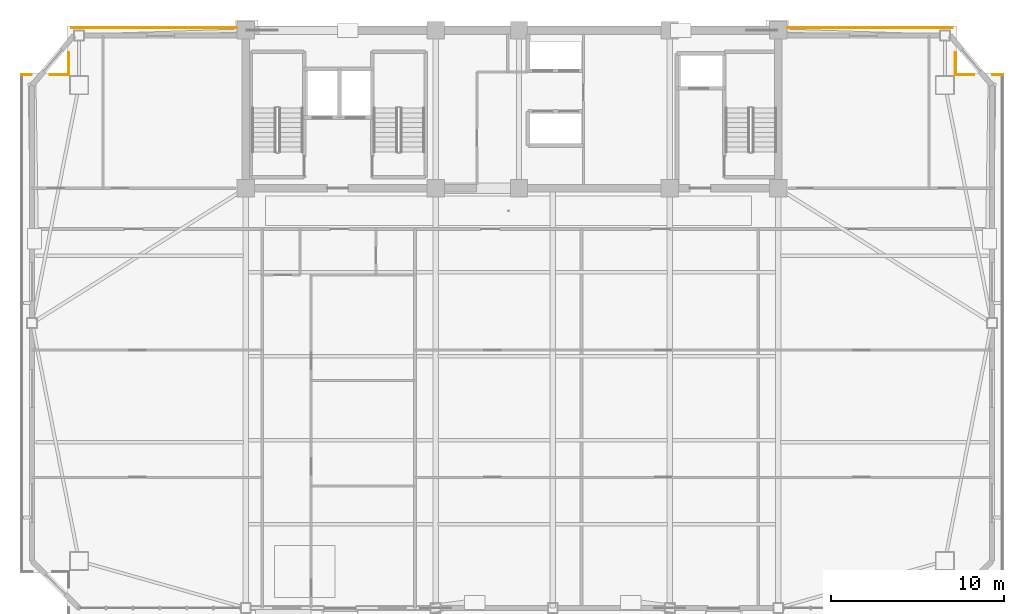
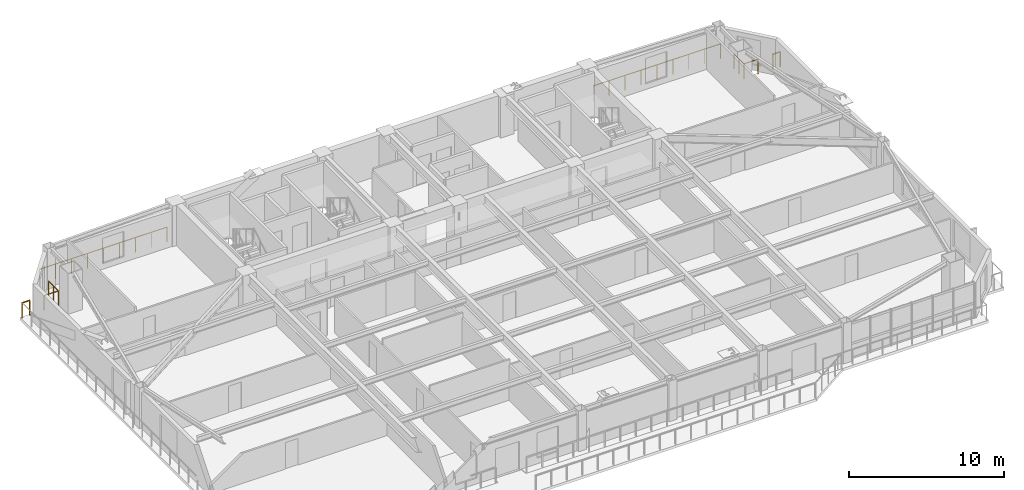
# One storey, part 16 of 16: 8 railings.
"""IFC4 building model written with IfcOpenShell, lengths in metres."""

from ifc_helpers import new_model, si_unit, direction, frame, origin, origin_2d, place, context, subcontext, project, spatial, rectangle, extrude, material, type_object, element, save


model = new_model("IFC4")

# Units and contexts
model_context = context("Model", 3, precision=1e-05, world=origin(), true_north=direction((0.0, 1.0)))
body_context = subcontext(model_context, "Body", "Model", "MODEL_VIEW")
ifc_project = project(units=[si_unit("LENGTHUNIT", "METRE"), si_unit("AREAUNIT", "SQUARE_METRE"), si_unit("VOLUMEUNIT", "CUBIC_METRE"), si_unit("PLANEANGLEUNIT", "RADIAN"), si_unit("MASSUNIT", "GRAM", prefix="KILO")], contexts=[model_context])

# Site, building, storey
site_placement = place(None, origin())
site = spatial("IfcSite", under=ifc_project, at=site_placement, CompositionType="ELEMENT")
building_placement = place(site_placement, origin())
building = spatial("IfcBuilding", under=site, at=building_placement, Name="Giltprow Tower", CompositionType="ELEMENT")
storey_placement = place(building_placement, frame((0.0, 0.0, 227.0)))
storey = spatial("IfcBuildingStorey", under=building, at=storey_placement, Name="L57", CompositionType="ELEMENT", Elevation=227.0)

# Railings
ifc_material = material(Name="Anodized bronze", Category="metal")
railing_type = type_object("IfcRailingType", Name="RAIL-BALC-GUARD-1200", PredefinedType="BALUSTRADE", material=ifc_material)
railing_1_placement = place(storey_placement, frame((6.93310546875, 43.992919921875, 0.0)))
element("IfcRailing", 1, at=railing_1_placement, inside=storey, type_object=railing_type, Name="L57 Corner Apron Edge Balustrade 14", PredefinedType="BALUSTRADE", context=body_context, shape_type="SweptSolid", body=[
    extrude(rectangle(XDim=0.048095703125, YDim=0.048095703125, at=origin_2d()), frame((0.0, 0.0, 1.17578125), z_axis=(1.0, 0.0, 0.0), x_axis=(0.0, 1.0, 0.0)), (0.0, 0.0, 1.0), 0.56884765625),
    extrude(rectangle(XDim=0.0419921875, YDim=0.0419921875, at=origin_2d()), origin(), (0.0, 0.0, 1.0), 1.15185546875),
    extrude(rectangle(XDim=0.0419921875, YDim=0.0419921875, at=origin_2d()), frame((0.56884765625, 0.0, 0.0)), (0.0, 0.0, 1.0), 1.15185546875),
])
railing_2_placement = place(storey_placement, frame((8.574951171875, 43.992919921875, 0.0)))
element("IfcRailing", 2, at=railing_2_placement, inside=storey, type_object=railing_type, Name="L57 Corner Apron Edge Balustrade 15", PredefinedType="BALUSTRADE", context=body_context, shape_type="SweptSolid", body=[
    extrude(rectangle(XDim=0.048095703125, YDim=0.048095703125, at=origin_2d()), frame((0.0, 0.0, 1.17578125), z_axis=(1.0, 0.0, 0.0), x_axis=(0.0, 1.0, 0.0)), (0.0, 0.0, 1.0), 1.06494140625),
    extrude(rectangle(XDim=0.0419921875, YDim=0.0419921875, at=origin_2d()), origin(), (0.0, 0.0, 1.0), 1.15185546875),
    extrude(rectangle(XDim=0.0419921875, YDim=0.0419921875, at=origin_2d()), frame((1.06494140625, 0.0, 0.0)), (0.0, 0.0, 1.0), 1.15185546875),
])
railing_3_placement = place(storey_placement, frame((9.639892578125, 43.992919921875, 0.0)))
element("IfcRailing", 3, at=railing_3_placement, inside=storey, type_object=railing_type, Name="L57 Corner Apron Edge Balustrade 16", PredefinedType="BALUSTRADE", context=body_context, shape_type="SweptSolid", body=[
    extrude(rectangle(XDim=0.048095703125, YDim=0.048095703125, at=origin_2d()), frame((0.0, 0.0, 1.17578125), z_axis=(0.0, 1.0, 0.0), x_axis=(-1.0, 0.0, 0.0)), (0.0, 0.0, 1.0), 1.26513671875),
    extrude(rectangle(XDim=0.0419921875, YDim=0.0419921875, at=origin_2d()), origin(), (0.0, 0.0, 1.0), 1.15185546875),
    extrude(rectangle(XDim=0.0419921875, YDim=0.0419921875, at=origin_2d()), frame((0.0, 0.632568359375, 0.0)), (0.0, 0.0, 1.0), 1.15185546875),
    extrude(rectangle(XDim=0.0419921875, YDim=0.0419921875, at=origin_2d()), frame((0.0, 1.26513671875, 0.0)), (0.0, 0.0, 1.0), 1.15185546875),
])
railing_4_placement = place(storey_placement, frame((9.80908203125, 46.699951171875, 0.0)))
element("IfcRailing", 4, at=railing_4_placement, inside=storey, type_object=railing_type, Name="L57 Corner Apron Edge Balustrade 17", PredefinedType="BALUSTRADE", context=body_context, shape_type="SweptSolid", body=[
    extrude(rectangle(XDim=0.048095703125, YDim=0.048095703125, at=origin_2d()), frame((0.0, 0.0, 1.17578125), z_axis=(1.0, 0.0, 0.0), x_axis=(0.0, 1.0, 0.0)), (0.0, 0.0, 1.0), 9.505859375),
    extrude(rectangle(XDim=0.0419921875, YDim=0.0419921875, at=origin_2d()), origin(), (0.0, 0.0, 1.0), 1.15185546875),
    extrude(rectangle(XDim=0.0419921875, YDim=0.0419921875, at=origin_2d()), frame((1.188232421875, 0.0, 0.0)), (0.0, 0.0, 1.0), 1.15185546875),
    extrude(rectangle(XDim=0.0419921875, YDim=0.0419921875, at=origin_2d()), frame((2.37646484375, 0.0, 0.0)), (0.0, 0.0, 1.0), 1.15185546875),
    extrude(rectangle(XDim=0.0419921875, YDim=0.0419921875, at=origin_2d()), frame((3.564697265625, 0.0, 0.0)), (0.0, 0.0, 1.0), 1.15185546875),
    extrude(rectangle(XDim=0.0419921875, YDim=0.0419921875, at=origin_2d()), frame((4.7529296875, 0.0, 0.0)), (0.0, 0.0, 1.0), 1.15185546875),
    extrude(rectangle(XDim=0.0419921875, YDim=0.0419921875, at=origin_2d()), frame((5.941162109375, 0.0, 0.0)), (0.0, 0.0, 1.0), 1.15185546875),
    extrude(rectangle(XDim=0.0419921875, YDim=0.0419921875, at=origin_2d()), frame((7.12939453125, 0.0, 0.0)), (0.0, 0.0, 1.0), 1.15185546875),
    extrude(rectangle(XDim=0.0419921875, YDim=0.0419921875, at=origin_2d()), frame((8.317626953125, 0.0, 0.0)), (0.0, 0.0, 1.0), 1.15185546875),
    extrude(rectangle(XDim=0.0419921875, YDim=0.0419921875, at=origin_2d()), frame((9.505859375, 0.0, 0.0)), (0.0, 0.0, 1.0), 1.15185546875),
])
railing_5_placement = place(storey_placement, frame((51.0849609375, 46.699951171875, 0.0)))
element("IfcRailing", 5, at=railing_5_placement, inside=storey, type_object=railing_type, Name="L57 Corner Apron Edge Balustrade 18", PredefinedType="BALUSTRADE", context=body_context, shape_type="SweptSolid", body=[
    extrude(rectangle(XDim=0.048095703125, YDim=0.048095703125, at=origin_2d()), frame((0.0, 0.0, 1.17578125), z_axis=(1.0, 0.0, 0.0), x_axis=(0.0, 1.0, 0.0)), (0.0, 0.0, 1.0), 9.506103515625),
    extrude(rectangle(XDim=0.0419921875, YDim=0.0419921875, at=origin_2d()), origin(), (0.0, 0.0, 1.0), 1.15185546875),
    extrude(rectangle(XDim=0.0419921875, YDim=0.0419921875, at=origin_2d()), frame((1.188232421875, 0.0, 0.0)), (0.0, 0.0, 1.0), 1.15185546875),
    extrude(rectangle(XDim=0.0419921875, YDim=0.0419921875, at=origin_2d()), frame((2.37646484375, 0.0, 0.0)), (0.0, 0.0, 1.0), 1.15185546875),
    extrude(rectangle(XDim=0.0419921875, YDim=0.0419921875, at=origin_2d()), frame((3.564697265625, 0.0, 0.0)), (0.0, 0.0, 1.0), 1.15185546875),
    extrude(rectangle(XDim=0.0419921875, YDim=0.0419921875, at=origin_2d()), frame((4.7529296875, 0.0, 0.0)), (0.0, 0.0, 1.0), 1.15185546875),
    extrude(rectangle(XDim=0.0419921875, YDim=0.0419921875, at=origin_2d()), frame((5.94140625, 0.0, 0.0)), (0.0, 0.0, 1.0), 1.15185546875),
    extrude(rectangle(XDim=0.0419921875, YDim=0.0419921875, at=origin_2d()), frame((7.129638671875, 0.0, 0.0)), (0.0, 0.0, 1.0), 1.15185546875),
    extrude(rectangle(XDim=0.0419921875, YDim=0.0419921875, at=origin_2d()), frame((8.31787109375, 0.0, 0.0)), (0.0, 0.0, 1.0), 1.15185546875),
    extrude(rectangle(XDim=0.0419921875, YDim=0.0419921875, at=origin_2d()), frame((9.506103515625, 0.0, 0.0)), (0.0, 0.0, 1.0), 1.15185546875),
])
railing_6_placement = place(storey_placement, frame((60.760009765625, 45.258056640625, 0.0)))
element("IfcRailing", 6, at=railing_6_placement, inside=storey, type_object=railing_type, Name="L57 Corner Apron Edge Balustrade 19", PredefinedType="BALUSTRADE", context=body_context, shape_type="SweptSolid", body=[
    extrude(rectangle(XDim=0.048095703125, YDim=0.048095703125, at=origin_2d()), frame((0.0, 0.0, 1.17578125), z_axis=(0.0, -1.0, 0.0), x_axis=(1.0, 0.0, 0.0)), (0.0, 0.0, 1.0), 1.26513671875),
    extrude(rectangle(XDim=0.0419921875, YDim=0.0419921875, at=origin_2d()), origin(), (0.0, 0.0, 1.0), 1.15185546875),
    extrude(rectangle(XDim=0.0419921875, YDim=0.0419921875, at=origin_2d()), frame((0.0, -0.632568359375, 0.0)), (0.0, 0.0, 1.0), 1.15185546875),
    extrude(rectangle(XDim=0.0419921875, YDim=0.0419921875, at=origin_2d()), frame((0.0, -1.26513671875, 0.0)), (0.0, 0.0, 1.0), 1.15185546875),
])
railing_7_placement = place(storey_placement, frame((60.760009765625, 43.992919921875, 0.0)))
element("IfcRailing", 7, at=railing_7_placement, inside=storey, type_object=railing_type, Name="L57 Corner Apron Edge Balustrade 20", PredefinedType="BALUSTRADE", context=body_context, shape_type="SweptSolid", body=[
    extrude(rectangle(XDim=0.048095703125, YDim=0.048095703125, at=origin_2d()), frame((0.0, 0.0, 1.17578125), z_axis=(1.0, 0.0, 0.0), x_axis=(0.0, 1.0, 0.0)), (0.0, 0.0, 1.0), 1.06494140625),
    extrude(rectangle(XDim=0.0419921875, YDim=0.0419921875, at=origin_2d()), origin(), (0.0, 0.0, 1.0), 1.15185546875),
    extrude(rectangle(XDim=0.0419921875, YDim=0.0419921875, at=origin_2d()), frame((1.06494140625, 0.0, 0.0)), (0.0, 0.0, 1.0), 1.15185546875),
])
railing_8_placement = place(storey_placement, frame((62.89794921875, 43.992919921875, 0.0)))
element("IfcRailing", 8, at=railing_8_placement, inside=storey, type_object=railing_type, Name="L57 Corner Apron Edge Balustrade 21", PredefinedType="BALUSTRADE", context=body_context, shape_type="SweptSolid", body=[
    extrude(rectangle(XDim=0.048095703125, YDim=0.048095703125, at=origin_2d()), frame((0.0, 0.0, 1.17578125), z_axis=(1.0, 0.0, 0.0), x_axis=(0.0, 1.0, 0.0)), (0.0, 0.0, 1.0), 0.569091796875),
    extrude(rectangle(XDim=0.0419921875, YDim=0.0419921875, at=origin_2d()), origin(), (0.0, 0.0, 1.0), 1.15185546875),
    extrude(rectangle(XDim=0.0419921875, YDim=0.0419921875, at=origin_2d()), frame((0.569091796875, 0.0, 0.0)), (0.0, 0.0, 1.0), 1.15185546875),
])

save(model, "model.ifc")
